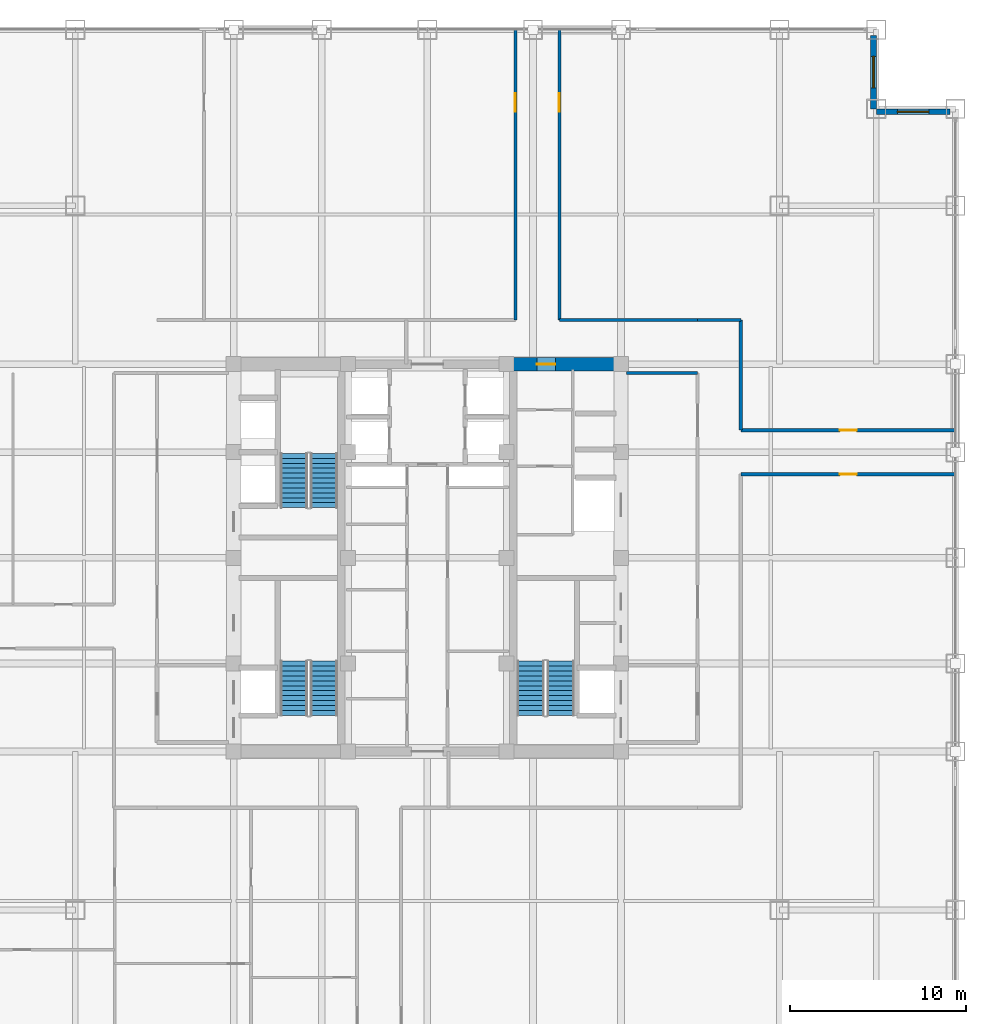
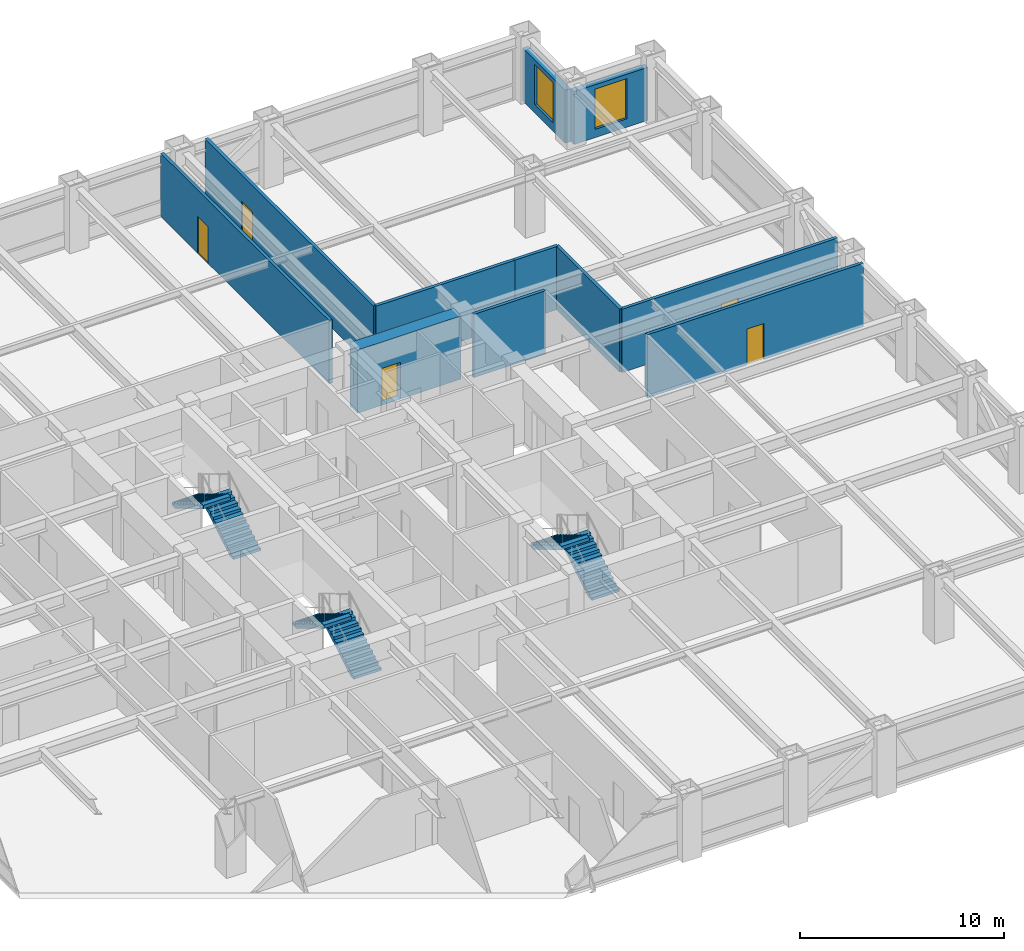
# One storey, part 23 of 24: 11 walls, 6 stair flights, 5 doors, 2 windows, 7 openings, 3 elements without a shape of their own.
"""IFC4 building model written with IfcOpenShell, lengths in metres."""

from ifc_helpers import new_model, si_unit, direction, frame, frame_2d, origin, place, context, subcontext, project, spatial, polyline, rectangle, outline, extrude, source, transform, mapped, material, layer, layer_set, type_object, element, fill, aggregate, save


model = new_model("IFC4")

# Units and contexts
model_context = context("Model", 3, precision=1e-05, world=origin(), true_north=direction((0.0, 1.0)))
body_context = subcontext(model_context, "Body", "Model", "MODEL_VIEW")
ifc_project = project(units=[si_unit("LENGTHUNIT", "METRE"), si_unit("AREAUNIT", "SQUARE_METRE"), si_unit("VOLUMEUNIT", "CUBIC_METRE"), si_unit("PLANEANGLEUNIT", "RADIAN"), si_unit("MASSUNIT", "GRAM", prefix="KILO")], contexts=[model_context])

# Site, building, storey
site_placement = place(None, origin())
site = spatial("IfcSite", under=ifc_project, at=site_placement, CompositionType="ELEMENT")
building_placement = place(site_placement, origin())
building = spatial("IfcBuilding", under=site, at=building_placement, Name="Khorayat Bourse Tower", CompositionType="ELEMENT")
storey_placement = place(building_placement, frame((0.0, 0.0, 171.10009765625)))
storey = spatial("IfcBuildingStorey", under=building, at=storey_placement, Name="L39", CompositionType="ELEMENT", Elevation=171.10009765625)

# Wall, opening, door
ifc_material_1 = material(Name="Concrete C72/90", Category="concrete")
ifc_layer_1 = layer(ifc_material_1, 0.75)
ifc_layer_set_1 = layer_set([ifc_layer_1], Name="Concrete C72/90")
wall_type_1 = type_object("IfcWallType", Name="WAL-CORE-750", PredefinedType="SHEAR", material=ifc_layer_set_1)
shared_shape_1 = source(origin(), body_context, "Body", "SweptSolid", [
    extrude(rectangle(XDim=5.849853515625, YDim=0.75, at=frame_2d((2.9248046875, 0.0))), origin(), (0.0, 0.0, 1.0), 3.77978515625),
])
wall_1_placement = place(storey_placement, frame((4.85009765625, 11.0, 0.0), z_axis=(0.0, 0.0, 1.0), x_axis=(1.0, 0.0, 0.0)))
wall_1 = element("IfcWall", 1, at=wall_1_placement, inside=storey, type_object=wall_type_1, Name="L39 Core Shear Wall PIER-EN", PredefinedType="SHEAR", context=body_context, shape_type="MappedRepresentation", body=[
    mapped(shared_shape_1, transform((0.0, 0.0, 0.0), scale=1.0)),
])
shared_shape_2 = source(origin(), body_context, "Body", "SweptSolid", [
    extrude(rectangle(XDim=1.050048828125, YDim=2.199951171875, at=frame_2d((0.52490234375, 1.10009765625))), frame((0.0, 0.385009765625, 0.0), z_axis=(0.0, -1.0, 0.0), x_axis=(1.0, 0.0, 0.0)), (0.0, 0.0, 1.0), 0.77001953125),
])
opening_1_placement = place(wall_1_placement, frame((1.375, 0.0, 0.0)))
opening_1 = element("IfcOpeningElement", 2, at=opening_1_placement, cuts=wall_1, Name="Opening DI-04", PredefinedType="OPENING", context=body_context, shape_type="MappedRepresentation", body=[
    mapped(shared_shape_2, transform((0.0, 0.0, 0.0), scale=1.0)),
])
ifc_material_2 = material(Name="Fire-rated oak veneer suite entrance door")
door_type_1 = type_object("IfcDoorType", Name="DR-INT-SUITE-1050", OperationType="NOTDEFINED", PredefinedType="DOOR", material=ifc_material_2)
shared_shape_3 = source(origin(), body_context, "Body", "SweptSolid", [
    extrude(rectangle(XDim=1.050048828125, YDim=2.199951171875, at=frame_2d((0.52490234375, 1.10009765625))), frame((0.0, 0.02490234375, 0.0), z_axis=(0.0, -1.0, 0.0), x_axis=(1.0, 0.0, 0.0)), (0.0, 0.0, 1.0), 0.050048828125),
])
door_1_placement = place(opening_1_placement, origin())
door_1 = element("IfcDoor", 3, at=door_1_placement, inside=storey, type_object=door_type_1, Name="L39 Core Washroom Lobby Door", OperationType="SINGLE_SWING_LEFT", OverallHeight=2.199951171875, OverallWidth=1.050048828125, PredefinedType="DOOR", context=body_context, shape_type="MappedRepresentation", body=[
    mapped(shared_shape_3, transform((0.0, 0.0, 0.0), scale=1.0)),
])
fill(opening_1, door_1)

# Wall, opening, window
ifc_material_3 = material(Name="Precast concrete C45/55", Category="concrete")
ifc_layer_2 = layer(ifc_material_3, 0.320068359375)
ifc_layer_set_2 = layer_set([ifc_layer_2], Name="Precast concrete C45/55")
wall_type_2 = type_object("IfcWallType", Name="WAL-EXT-STONE-320", PredefinedType="STANDARD", material=ifc_layer_set_2)
shared_shape_4 = source(origin(), body_context, "Body", "SweptSolid", [
    extrude(rectangle(XDim=4.179931640625, YDim=0.320068359375, at=frame_2d((2.08984375, 0.0))), origin(), (0.0, 0.0, 1.0), 3.163818359375),
])
wall_2_placement = place(storey_placement, frame((25.5, 25.340087890625, 0.0), z_axis=(0.0, 0.0, 1.0), x_axis=(1.0, 0.0, 0.0)))
wall_2 = element("IfcWall", 4, at=wall_2_placement, inside=storey, type_object=wall_type_2, Name="L39 Re-Entrant Notch Limestone Wall NE-H", PredefinedType="STANDARD", context=body_context, shape_type="MappedRepresentation", body=[
    mapped(shared_shape_4, transform((0.0, 0.0, 0.0), scale=1.0)),
])
shared_shape_5 = source(origin(), body_context, "Body", "SweptSolid", [
    extrude(rectangle(XDim=1.800048828125, YDim=2.39990234375, at=frame_2d((0.89990234375, 1.199951171875))), frame((0.0, 0.169921875, 0.0), z_axis=(0.0, -1.0, 0.0), x_axis=(1.0, 0.0, 0.0)), (0.0, 0.0, 1.0), 0.340087890625),
])
opening_2_placement = place(wall_2_placement, frame((1.18994140625, 0.0, 0.5)))
opening_2 = element("IfcOpeningElement", 5, at=opening_2_placement, cuts=wall_2, Name="Opening WN-04", PredefinedType="OPENING", context=body_context, shape_type="MappedRepresentation", body=[
    mapped(shared_shape_5, transform((0.0, 0.0, 0.0), scale=1.0)),
])
ifc_material_4 = material(Name="Low-E acoustic laminated double glazing", Category="glass")
window_type = type_object("IfcWindowType", Name="WIN-NOTCH-1800x2400", PartitioningType="SINGLE_PANEL", PredefinedType="WINDOW", material=ifc_material_4)
shared_shape_6 = source(origin(), body_context, "Body", "SweptSolid", [
    extrude(rectangle(XDim=1.800048828125, YDim=2.39990234375, at=frame_2d((0.89990234375, 1.199951171875))), frame((0.0, 0.030029296875, 0.0), z_axis=(0.0, -1.0, 0.0), x_axis=(1.0, 0.0, 0.0)), (0.0, 0.0, 1.0), 0.06005859375),
])
window_1_placement = place(opening_2_placement, origin())
window_1 = element("IfcWindow", 6, at=window_1_placement, inside=storey, type_object=window_type, Name="L39 Facade Window 1", OverallHeight=2.39990234375, OverallWidth=1.800048828125, PartitioningType="SINGLE_PANEL", PredefinedType="WINDOW", context=body_context, shape_type="MappedRepresentation", body=[
    mapped(shared_shape_6, transform((0.0, 0.0, 0.0), scale=1.0)),
])
fill(opening_2, window_1)

wall_3_placement = place(storey_placement, frame((25.340087890625, 25.5, 0.0), z_axis=(0.0, 0.0, 1.0), x_axis=(0.0, 1.0, 0.0)))
wall_3 = element("IfcWall", 7, at=wall_3_placement, inside=storey, type_object=wall_type_2, Name="L39 Re-Entrant Notch Limestone Wall NE-V", PredefinedType="STANDARD", context=body_context, shape_type="MappedRepresentation", body=[
    mapped(shared_shape_4, transform((0.0, 0.0, 0.0), scale=1.0)),
])
opening_3_placement = place(wall_3_placement, frame((1.18994140625, 0.0, 0.5)))
opening_3 = element("IfcOpeningElement", 8, at=opening_3_placement, cuts=wall_3, Name="Opening WN-04", PredefinedType="OPENING", context=body_context, shape_type="MappedRepresentation", body=[
    mapped(shared_shape_5, transform((0.0, 0.0, 0.0), scale=1.0)),
])
window_2_placement = place(opening_3_placement, origin())
window_2 = element("IfcWindow", 9, at=window_2_placement, inside=storey, type_object=window_type, Name="L39 Facade Window 1", OverallHeight=2.39990234375, OverallWidth=1.800048828125, PartitioningType="SINGLE_PANEL", PredefinedType="WINDOW", context=body_context, shape_type="MappedRepresentation", body=[
    mapped(shared_shape_6, transform((0.0, 0.0, 0.0), scale=1.0)),
])
fill(opening_3, window_2)

# Walls
ifc_material_5 = material(Name="Gypsum plasterboard acoustic stud wall")
ifc_layer_3 = layer(ifc_material_5, 0.179931640625)
ifc_layer_set_3 = layer_set([ifc_layer_3], Name="Gypsum plasterboard acoustic stud wall")
wall_type_3 = type_object("IfcWallType", Name="WAL-PART-CORR-180", PredefinedType="PARTITIONING", material=ifc_layer_set_3)
shared_shape_7 = source(origin(), body_context, "Body", "SweptSolid", [
    extrude(rectangle(XDim=4.050048828125, YDim=0.179931640625, at=frame_2d((2.02490234375, 0.0))), origin(), (0.0, 0.0, 1.0), 3.77978515625),
])
wall_4_placement = place(storey_placement, frame((11.300048828125, 10.5, 0.0), z_axis=(0.0, 0.0, 1.0), x_axis=(1.0, 0.0, 0.0)))
element("IfcWall", 10, at=wall_4_placement, inside=storey, type_object=wall_type_3, Name="L39 Partition WAL-L39-ELOB-N", PredefinedType="PARTITIONING", context=body_context, shape_type="MappedRepresentation", body=[
    mapped(shared_shape_7, transform((0.0, 0.0, 0.0), scale=1.0)),
])
shared_shape_8 = source(origin(), body_context, "Body", "SweptSolid", [
    extrude(rectangle(XDim=2.449951171875, YDim=0.179931640625, at=frame_2d((1.22509765625, 0.0))), origin(), (0.0, 0.0, 1.0), 3.77978515625),
])
wall_5_placement = place(storey_placement, frame((15.35009765625, 13.5, 0.0), z_axis=(0.0, 0.0, 1.0), x_axis=(1.0, 0.0, 0.0)))
element("IfcWall", 11, at=wall_5_placement, inside=storey, type_object=wall_type_3, Name="L39 Partition WAL-L39-C2-EN", PredefinedType="PARTITIONING", context=body_context, shape_type="MappedRepresentation", body=[
    mapped(shared_shape_8, transform((0.0, 0.0, 0.0), scale=1.0)),
])

# Wall, opening, door
shared_shape_9 = source(origin(), body_context, "Body", "SweptSolid", [
    extrude(rectangle(XDim=16.5, YDim=0.179931640625, at=frame_2d((8.25, 0.0))), origin(), (0.0, 0.0, 1.0), 3.77978515625),
])
wall_6_placement = place(storey_placement, frame((5.0, 13.5, 0.0), z_axis=(0.0, 0.0, 1.0), x_axis=(0.0, 1.0, 0.0)))
wall_6 = element("IfcWall", 12, at=wall_6_placement, inside=storey, type_object=wall_type_3, Name="L39 Partition WAL-L39-QNW-SPK", PredefinedType="PARTITIONING", context=body_context, shape_type="MappedRepresentation", body=[
    mapped(shared_shape_9, transform((0.0, 0.0, 0.0), scale=1.0)),
])
shared_shape_10 = source(origin(), body_context, "Body", "SweptSolid", [
    extrude(rectangle(XDim=1.050048828125, YDim=2.199951171875, at=frame_2d((0.52490234375, 1.10009765625))), frame((0.0, 0.099853515625, 0.0), z_axis=(0.0, -1.0, 0.0), x_axis=(1.0, 0.0, 0.0)), (0.0, 0.0, 1.0), 0.199951171875),
])
opening_4_placement = place(wall_6_placement, frame((11.85009765625, 0.0, 0.0)))
opening_4 = element("IfcOpeningElement", 13, at=opening_4_placement, cuts=wall_6, Name="Opening DI-04", PredefinedType="OPENING", context=body_context, shape_type="MappedRepresentation", body=[
    mapped(shared_shape_10, transform((0.0, 0.0, 0.0), scale=1.0)),
])
door_2_placement = place(opening_4_placement, origin())
door_2 = element("IfcDoor", 14, at=door_2_placement, inside=storey, type_object=door_type_1, Name="L39 North-West Radial Spoke Entry", OperationType="SINGLE_SWING_LEFT", OverallHeight=2.199951171875, OverallWidth=1.050048828125, PredefinedType="DOOR", context=body_context, shape_type="MappedRepresentation", body=[
    mapped(shared_shape_3, transform((0.0, 0.0, 0.0), scale=1.0)),
])
fill(opening_4, door_2)

wall_7_placement = place(storey_placement, frame((7.5, 13.5, 0.0), z_axis=(0.0, 0.0, 1.0), x_axis=(0.0, 1.0, 0.0)))
wall_7 = element("IfcWall", 15, at=wall_7_placement, inside=storey, type_object=wall_type_3, Name="L39 Partition WAL-L39-QNE-SPK", PredefinedType="PARTITIONING", context=body_context, shape_type="MappedRepresentation", body=[
    mapped(shared_shape_9, transform((0.0, 0.0, 0.0), scale=1.0)),
])
opening_5_placement = place(wall_7_placement, frame((11.85009765625, 0.0, 0.0)))
opening_5 = element("IfcOpeningElement", 16, at=opening_5_placement, cuts=wall_7, Name="Opening DI-04", PredefinedType="OPENING", context=body_context, shape_type="MappedRepresentation", body=[
    mapped(shared_shape_10, transform((0.0, 0.0, 0.0), scale=1.0)),
])
door_3_placement = place(opening_5_placement, origin())
door_3 = element("IfcDoor", 17, at=door_3_placement, inside=storey, type_object=door_type_1, Name="L39 North-East Radial Spoke Entry", OperationType="SINGLE_SWING_LEFT", OverallHeight=2.199951171875, OverallWidth=1.050048828125, PredefinedType="DOOR", context=body_context, shape_type="MappedRepresentation", body=[
    mapped(shared_shape_3, transform((0.0, 0.0, 0.0), scale=1.0)),
])
fill(opening_5, door_3)

shared_shape_11 = source(origin(), body_context, "Body", "SweptSolid", [
    extrude(rectangle(XDim=12.199951171875, YDim=0.179931640625, at=frame_2d((6.10009765625, 0.0))), origin(), (0.0, 0.0, 1.0), 3.77978515625),
])
wall_8_placement = place(storey_placement, frame((17.800048828125, 4.75, 0.0), z_axis=(0.0, 0.0, 1.0), x_axis=(1.0, 0.0, 0.0)))
wall_8 = element("IfcWall", 18, at=wall_8_placement, inside=storey, type_object=wall_type_3, Name="L39 Partition WAL-L39-ES-SPK", PredefinedType="PARTITIONING", context=body_context, shape_type="MappedRepresentation", body=[
    mapped(shared_shape_11, transform((0.0, 0.0, 0.0), scale=1.0)),
])
shared_shape_12 = source(origin(), body_context, "Body", "SweptSolid", [
    extrude(rectangle(XDim=0.949951171875, YDim=2.14990234375, at=frame_2d((0.47509765625, 1.074951171875))), frame((0.0, 0.099853515625, 0.0), z_axis=(0.0, -1.0, 0.0), x_axis=(1.0, 0.0, 0.0)), (0.0, 0.0, 1.0), 0.199951171875),
])
opening_6_placement = place(wall_8_placement, frame((5.625, 0.0, 0.0)))
opening_6 = element("IfcOpeningElement", 19, at=opening_6_placement, cuts=wall_8, Name="Opening DI-05", PredefinedType="OPENING", context=body_context, shape_type="MappedRepresentation", body=[
    mapped(shared_shape_12, transform((0.0, 0.0, 0.0), scale=1.0)),
])
ifc_material_6 = material(Name="Acoustic oak veneer office door")
door_type_2 = type_object("IfcDoorType", Name="DR-INT-OFFICE-950", OperationType="NOTDEFINED", PredefinedType="DOOR", material=ifc_material_6)
shared_shape_13 = source(origin(), body_context, "Body", "SweptSolid", [
    extrude(rectangle(XDim=0.949951171875, YDim=2.14990234375, at=frame_2d((0.47509765625, 1.074951171875))), frame((0.0, 0.02490234375, 0.0), z_axis=(0.0, -1.0, 0.0), x_axis=(1.0, 0.0, 0.0)), (0.0, 0.0, 1.0), 0.050048828125),
])
door_4_placement = place(opening_6_placement, origin())
door_4 = element("IfcDoor", 20, at=door_4_placement, inside=storey, type_object=door_type_2, Name="L39 Financial Training Classroom ES Door", OperationType="SINGLE_SWING_LEFT", OverallHeight=2.14990234375, OverallWidth=0.949951171875, PredefinedType="DOOR", context=body_context, shape_type="MappedRepresentation", body=[
    mapped(shared_shape_13, transform((0.0, 0.0, 0.0), scale=1.0)),
])
fill(opening_6, door_4)

wall_9_placement = place(storey_placement, frame((17.800048828125, 7.25, 0.0), z_axis=(0.0, 0.0, 1.0), x_axis=(1.0, 0.0, 0.0)))
wall_9 = element("IfcWall", 21, at=wall_9_placement, inside=storey, type_object=wall_type_3, Name="L39 Partition WAL-L39-EN-SPK", PredefinedType="PARTITIONING", context=body_context, shape_type="MappedRepresentation", body=[
    mapped(shared_shape_11, transform((0.0, 0.0, 0.0), scale=1.0)),
])
opening_7_placement = place(wall_9_placement, frame((5.625, 0.0, 0.0)))
opening_7 = element("IfcOpeningElement", 22, at=opening_7_placement, cuts=wall_9, Name="Opening DI-05", PredefinedType="OPENING", context=body_context, shape_type="MappedRepresentation", body=[
    mapped(shared_shape_12, transform((0.0, 0.0, 0.0), scale=1.0)),
])
door_5_placement = place(opening_7_placement, origin())
door_5 = element("IfcDoor", 23, at=door_5_placement, inside=storey, type_object=door_type_2, Name="L39 Brokerage Seminar Room EN Door", OperationType="SINGLE_SWING_LEFT", OverallHeight=2.14990234375, OverallWidth=0.949951171875, PredefinedType="DOOR", context=body_context, shape_type="MappedRepresentation", body=[
    mapped(shared_shape_13, transform((0.0, 0.0, 0.0), scale=1.0)),
])
fill(opening_7, door_5)

# Walls
shared_shape_14 = source(origin(), body_context, "Body", "SweptSolid", [
    extrude(rectangle(XDim=7.85009765625, YDim=0.179931640625, at=frame_2d((3.925048828125, 0.0))), origin(), (0.0, 0.0, 1.0), 3.77978515625),
])
wall_10_placement = place(storey_placement, frame((7.5, 13.5, 0.0), z_axis=(0.0, 0.0, 1.0), x_axis=(1.0, 0.0, 0.0)))
element("IfcWall", 24, at=wall_10_placement, inside=storey, type_object=wall_type_3, Name="L39 Partition WAL-L39-QNE-HC", PredefinedType="PARTITIONING", context=body_context, shape_type="MappedRepresentation", body=[
    mapped(shared_shape_14, transform((0.0, 0.0, 0.0), scale=1.0)),
])
shared_shape_15 = source(origin(), body_context, "Body", "SweptSolid", [
    extrude(rectangle(XDim=6.25, YDim=0.179931640625, at=frame_2d((3.125, 0.0))), origin(), (0.0, 0.0, 1.0), 3.77978515625),
])
wall_11_placement = place(storey_placement, frame((17.800048828125, 7.25, 0.0), z_axis=(0.0, 0.0, 1.0), x_axis=(0.0, 1.0, 0.0)))
element("IfcWall", 25, at=wall_11_placement, inside=storey, type_object=wall_type_3, Name="L39 Partition WAL-L39-EN-IN", PredefinedType="PARTITIONING", context=body_context, shape_type="MappedRepresentation", body=[
    mapped(shared_shape_15, transform((0.0, 0.0, 0.0), scale=1.0)),
])

# Stair, stair flights
ifc_material_7 = material(Name="Concrete C40/50", Category="concrete")
stair_type = type_object("IfcStairType", Name="STR-CORE-1550", PredefinedType="HALF_TURN_STAIR", material=ifc_material_7)
stair_1_placement = place(storey_placement, origin())
stair_1 = element("IfcStair", 26, at=stair_1_placement, inside=storey, type_object=stair_type, Name="L39 Exit Stair ST-1", PredefinedType="HALF_TURN_STAIR")
stair_flight_type = type_object("IfcStairFlightType", Name="FLT-CORE-1550", PredefinedType="STRAIGHT", material=ifc_material_7)
shared_shape_16 = source(origin(), body_context, "Body", "SweptSolid", [
    extrude(outline(polyline([(0.0, 0.0), (0.0, 0.166748046875), (0.280029296875, 0.166748046875), (0.280029296875, 0.333251953125), (0.56005859375, 0.333251953125), (0.56005859375, 0.5), (0.840087890625, 0.5), (0.840087890625, 0.666748046875), (1.1201171875, 0.666748046875), (1.1201171875, 0.833251953125), (1.39990234375, 0.833251953125), (1.39990234375, 1.0), (1.679931640625, 1.0), (1.679931640625, 1.166748046875), (1.9599609375, 1.166748046875), (1.9599609375, 1.333251953125), (2.239990234375, 1.333251953125), (2.239990234375, 1.5), (2.52001953125, 1.5), (2.52001953125, 1.666748046875), (2.800048828125, 1.666748046875), (2.800048828125, 1.833251953125), (3.080078125, 1.833251953125), (3.080078125, 2.0), (3.080078125, 1.6240234375), (0.351806640625, 0.0), (0.0, 0.0)])), frame((0.0, 0.77490234375, 0.0), z_axis=(0.0, -1.0, 0.0), x_axis=(1.0, 0.0, 0.0)), (0.0, 0.0, 1.0), 1.550048828125),
])
stair_flight_1_placement = place(storey_placement, frame((-5.875, -8.949951171875, 0.0), z_axis=(0.0, 0.0, 1.0), x_axis=(0.0, 1.0, 0.0)))
stair_flight_1 = element("IfcStairFlight", 27, at=stair_flight_1_placement, type_object=stair_flight_type, Name="ST-1 flight 1", NumberOfRisers=12, NumberOfTreads=11, PredefinedType="STRAIGHT", RiserHeight=0.166666667, TreadLength=0.28, context=body_context, shape_type="MappedRepresentation", body=[
    mapped(shared_shape_16, transform((0.0, 0.0, 0.0), scale=1.0)),
])
stair_flight_2_placement = place(storey_placement, frame((-7.574951171875, -5.8701171875, 2.0), z_axis=(0.0, 0.0, 1.0), x_axis=(0.0, -1.0, 0.0)))
stair_flight_2 = element("IfcStairFlight", 28, at=stair_flight_2_placement, type_object=stair_flight_type, Name="ST-1 flight 2", NumberOfRisers=12, NumberOfTreads=11, PredefinedType="STRAIGHT", RiserHeight=0.166666667, TreadLength=0.28, context=body_context, shape_type="MappedRepresentation", body=[
    mapped(shared_shape_16, transform((0.0, 0.0, 0.0), scale=1.0)),
])
aggregate(stair_1, [stair_flight_1, stair_flight_2])

stair_2_placement = place(storey_placement, origin())
stair_2 = element("IfcStair", 29, at=stair_2_placement, inside=storey, type_object=stair_type, Name="L39 Exit Stair ST-2", PredefinedType="HALF_TURN_STAIR")
stair_flight_3_placement = place(storey_placement, frame((-5.875, 2.85009765625, 0.0), z_axis=(0.0, 0.0, 1.0), x_axis=(0.0, 1.0, 0.0)))
stair_flight_3 = element("IfcStairFlight", 30, at=stair_flight_3_placement, type_object=stair_flight_type, Name="ST-2 flight 1", NumberOfRisers=12, NumberOfTreads=11, PredefinedType="STRAIGHT", RiserHeight=0.166666667, TreadLength=0.28, context=body_context, shape_type="MappedRepresentation", body=[
    mapped(shared_shape_16, transform((0.0, 0.0, 0.0), scale=1.0)),
])
stair_flight_4_placement = place(storey_placement, frame((-7.574951171875, 5.929931640625, 2.0), z_axis=(0.0, 0.0, 1.0), x_axis=(0.0, -1.0, 0.0)))
stair_flight_4 = element("IfcStairFlight", 31, at=stair_flight_4_placement, type_object=stair_flight_type, Name="ST-2 flight 2", NumberOfRisers=12, NumberOfTreads=11, PredefinedType="STRAIGHT", RiserHeight=0.166666667, TreadLength=0.28, context=body_context, shape_type="MappedRepresentation", body=[
    mapped(shared_shape_16, transform((0.0, 0.0, 0.0), scale=1.0)),
])
aggregate(stair_2, [stair_flight_3, stair_flight_4])

stair_3_placement = place(storey_placement, origin())
stair_3 = element("IfcStair", 32, at=stair_3_placement, inside=storey, type_object=stair_type, Name="L39 Exit Stair ST-3", PredefinedType="HALF_TURN_STAIR")
stair_flight_5_placement = place(storey_placement, frame((7.574951171875, -8.949951171875, 0.0), z_axis=(0.0, 0.0, 1.0), x_axis=(0.0, 1.0, 0.0)))
stair_flight_5 = element("IfcStairFlight", 33, at=stair_flight_5_placement, type_object=stair_flight_type, Name="ST-3 flight 1", NumberOfRisers=12, NumberOfTreads=11, PredefinedType="STRAIGHT", RiserHeight=0.166666667, TreadLength=0.28, context=body_context, shape_type="MappedRepresentation", body=[
    mapped(shared_shape_16, transform((0.0, 0.0, 0.0), scale=1.0)),
])
stair_flight_6_placement = place(storey_placement, frame((5.875, -5.8701171875, 2.0), z_axis=(0.0, 0.0, 1.0), x_axis=(0.0, -1.0, 0.0)))
stair_flight_6 = element("IfcStairFlight", 34, at=stair_flight_6_placement, type_object=stair_flight_type, Name="ST-3 flight 2", NumberOfRisers=12, NumberOfTreads=11, PredefinedType="STRAIGHT", RiserHeight=0.166666667, TreadLength=0.28, context=body_context, shape_type="MappedRepresentation", body=[
    mapped(shared_shape_16, transform((0.0, 0.0, 0.0), scale=1.0)),
])
aggregate(stair_3, [stair_flight_5, stair_flight_6])

save(model, "model.ifc")
